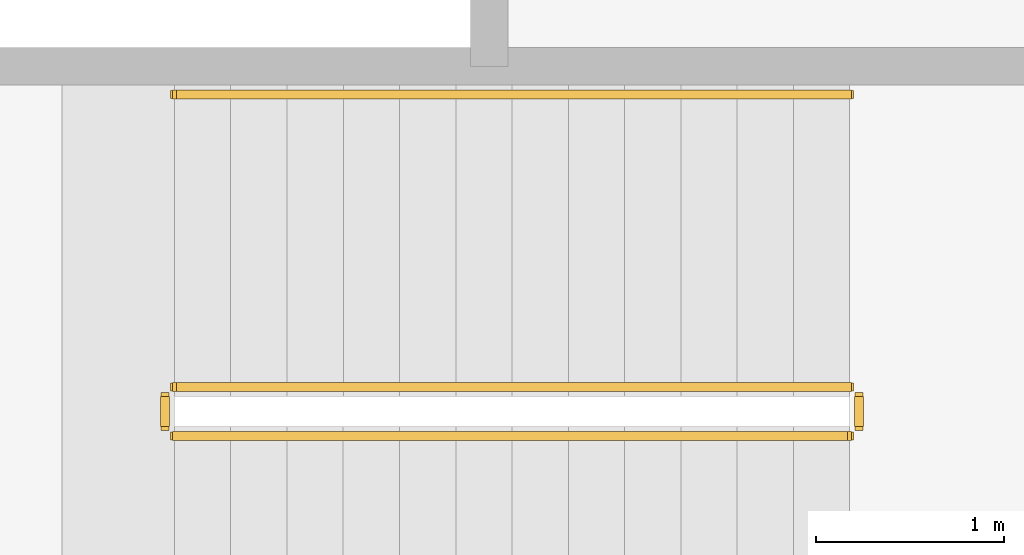
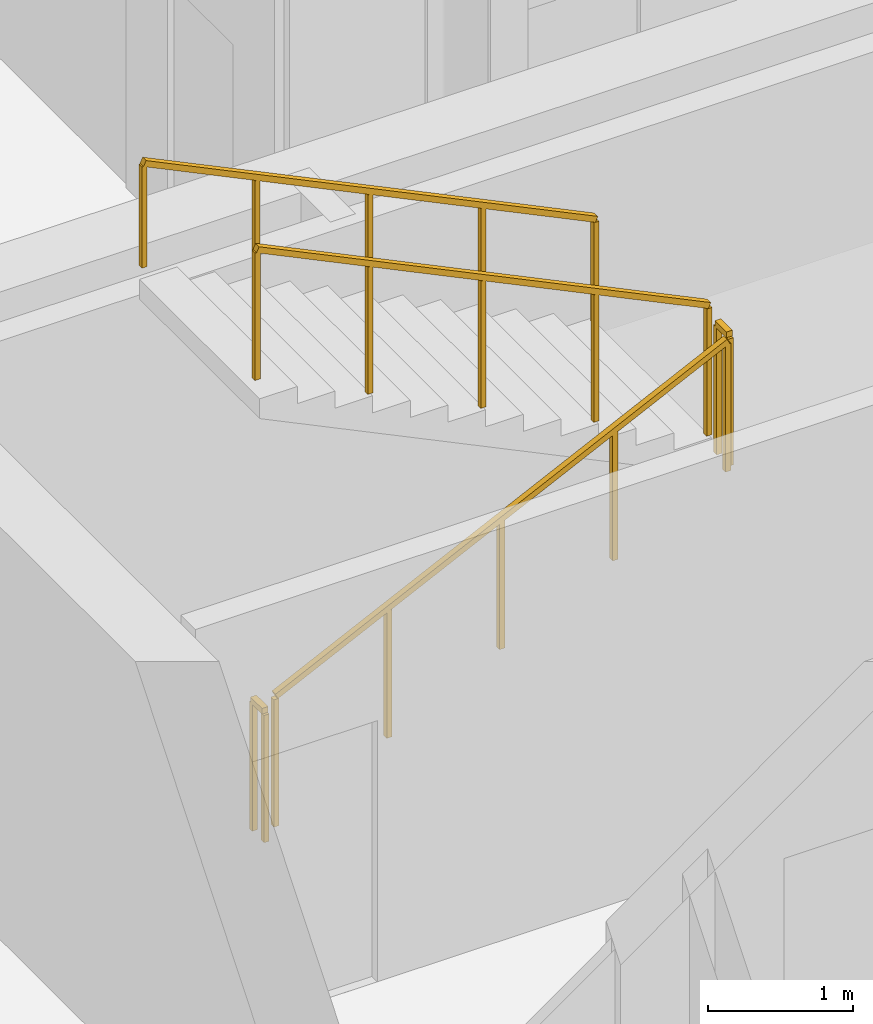
# One storey, part 25 of 26: 5 railings.
"""IFC4 building model written with IfcOpenShell, lengths in metres."""

import ifcopenshell
import ifcopenshell.guid

model = None  # the IFC model being written
_history = None  # IfcOwnerHistory: only IFC2X3 demands one
_inside = {}  # id of a spatial element -> (the spatial element, [elements in it])
_under = {}  # id of a project, library or spatial element -> (it, [spatial elements below it])
_declared = {}  # id of a project -> (the project, [libraries it declares])
_typed = {}  # id of a type object -> (the type object, [elements of that type])
_made_of = {}  # id of a material, layer set ... -> (it, [elements and type objects made of it])


def new_model(schema):
    """Start an empty IFC model of exactly this schema.

    Asked for "IFC4X3", IfcOpenShell would pick the latest addendum, in which some entities
    have other attributes; the version numbers below select the first issue.
    IFC2X3 requires an IfcOwnerHistory on every rooted entity: one is made here for all.
    """
    global model, _history
    if schema == "IFC4X3":
        model = ifcopenshell.file(schema_version=(4, 3, 0, 0))
    else:
        model = ifcopenshell.file(schema=schema)
    _inside.clear()
    _under.clear()
    _declared.clear()
    _typed.clear()
    _made_of.clear()
    _history = None
    if model.schema == "IFC2X3":
        org = make("IfcOrganization", Name="unknown")
        user = make(
            "IfcPersonAndOrganization",
            ThePerson=make("IfcPerson", FamilyName="unknown"),
            TheOrganization=org,
        )
        app = make(
            "IfcApplication",
            ApplicationDeveloper=org,
            Version="unknown",
            ApplicationFullName="unknown",
            ApplicationIdentifier="unknown",
        )
        _history = make(
            "IfcOwnerHistory",
            OwningUser=user,
            OwningApplication=app,
            ChangeAction="ADDED",
            CreationDate=0,
        )
    return model


def make(cls, **values):
    """One entity of the class cls with the attributes given. An attribute that is None is left unset."""
    return model.create_entity(
        cls, **{name: value for name, value in values.items() if value is not None}
    )


def rooted(cls, **values):
    """An entity with a GlobalId (a new one), such as an element, a storey or a relation."""
    return make(cls, GlobalId=ifcopenshell.guid.new(), OwnerHistory=_history, **values)


def si_unit(unit_type, name, prefix=None):
    """IfcSIUnit, for example si_unit("LENGTHUNIT", "METRE", prefix="MILLI")."""
    return make("IfcSIUnit", UnitType=unit_type, Prefix=prefix, Name=name)


def assignment(units):
    """IfcUnitAssignment: the units of a project."""
    return None if units is None else make("IfcUnitAssignment", Units=units)


def point(xyz):
    """IfcCartesianPoint."""
    return None if xyz is None else make("IfcCartesianPoint", Coordinates=xyz)


def direction(xyz):
    """IfcDirection."""
    return None if xyz is None else make("IfcDirection", DirectionRatios=xyz)


def frame(location, z_axis=None, x_axis=None):
    """IfcAxis2Placement3D, a coordinate frame: its origin and axes. An axis left out is left unset."""
    return make(
        "IfcAxis2Placement3D",
        Location=point(location),
        Axis=direction(z_axis),
        RefDirection=direction(x_axis),
    )


def frame_2d(location, x_axis=None):
    """IfcAxis2Placement2D, a coordinate frame in the plane: its origin and x axis."""
    return make(
        "IfcAxis2Placement2D", Location=point(location), RefDirection=direction(x_axis)
    )


def origin():
    """The frame at (0, 0, 0) with its axes left unset."""
    return frame((0.0, 0.0, 0.0))


def origin_2d():
    """The frame at (0, 0) in the plane with its x axis left unset."""
    return frame_2d((0.0, 0.0))


def place(relative_to, where):
    """IfcLocalPlacement: puts the frame where relative to a parent placement (None: the world)."""
    return make(
        "IfcLocalPlacement", PlacementRelTo=relative_to, RelativePlacement=where
    )


def context(
    kind, dimensions, precision=None, world=None, true_north=None, identifier=None
):
    """IfcGeometricRepresentationContext, for example the 3D "Model" context."""
    return make(
        "IfcGeometricRepresentationContext",
        ContextIdentifier=identifier,
        ContextType=kind,
        CoordinateSpaceDimension=dimensions,
        Precision=precision,
        WorldCoordinateSystem=world,
        TrueNorth=true_north,
    )


def subcontext(parent, identifier, kind, view, scale=None):
    """IfcGeometricRepresentationSubContext, for example "Body" below "Model"."""
    return make(
        "IfcGeometricRepresentationSubContext",
        ContextIdentifier=identifier,
        ContextType=kind,
        ParentContext=parent,
        TargetScale=scale,
        TargetView=view,
    )


def project(units=None, contexts=None):
    """IfcProject with its units and contexts."""
    return rooted(
        "IfcProject",
        Name="project",
        RepresentationContexts=contexts,
        UnitsInContext=assignment(units),
    )


def spatial(cls, under=None, at=None, **own):
    """A site, building, storey or space (cls), placed at a placement, below another one or the project."""
    s = rooted(cls, ObjectPlacement=at, **own)
    if under is not None:
        _under.setdefault(under.id(), (under, []))[1].append(s)
    return s


def profile(cls, at=None, kind="AREA", **sizes):
    """A parametric profile (cls). Its sizes go by their IFC names, for example OverallWidth=200.0."""
    return make(cls, ProfileType=kind, Position=at, **sizes)


def rectangle(**sizes):
    """IfcRectangleProfileDef."""
    return profile("IfcRectangleProfileDef", **sizes)


def extrude(swept, where, along, depth):
    """IfcExtrudedAreaSolid: the profile swept, set in the frame where, extruded along a direction by depth."""
    return make(
        "IfcExtrudedAreaSolid",
        SweptArea=swept,
        Position=where,
        ExtrudedDirection=direction(along),
        Depth=depth,
    )


def shape(context_of_items, identifier, shape_type, items):
    """IfcShapeRepresentation: the items that make up one representation, for example the "Body"."""
    return make(
        "IfcShapeRepresentation",
        ContextOfItems=context_of_items,
        RepresentationIdentifier=identifier,
        RepresentationType=shape_type,
        Items=items,
    )


def material(Name=None, Category=None):
    """IfcMaterial."""
    return make("IfcMaterial", Name=Name, Category=Category)


def made_of(thing, what):
    """Note that an element or type object is made of a material, layer set ...; save() writes the relation."""
    if what is not None:
        _made_of.setdefault(what.id(), (what, []))[1].append(thing)
    return thing


def type_object(cls, material=None, **own):
    """A type object (cls), such as IfcWallType, which elements share."""
    return made_of(rooted(cls, **own), material)


def element(
    cls,
    number,
    at=None,
    inside=None,
    cuts=None,
    type_object=None,
    material=None,
    context=None,
    identifier="Body",
    shape_type=None,
    held_by="IfcProductDefinitionShape",
    body=None,
    shapes=None,
    **own,
):
    """One element of the class cls, such as IfcWall. Its Tag is "e" and its number.

    at: its placement. inside: the storey or other place that contains it. cuts: it is an
    opening in that element (IfcRelVoidsElement). A single representation is given by context,
    identifier, shape_type and body (its items); several are given by shapes. held_by: the class
    of the entity that holds the representations. save() writes the other relations.
    """
    e = rooted(cls, Tag="e%d" % number, ObjectPlacement=at, **own)
    if body is not None:
        shapes = [shape(context, identifier, shape_type, body)]
    if shapes is not None:
        e.Representation = make(held_by, Representations=shapes)
    if inside is not None:
        _inside.setdefault(inside.id(), (inside, []))[1].append(e)
    if cuts is not None:
        rooted(
            "IfcRelVoidsElement", RelatingBuildingElement=cuts, RelatedOpeningElement=e
        )
    if type_object is not None:
        _typed.setdefault(type_object.id(), (type_object, []))[1].append(e)
    return made_of(e, material)


def aggregate(whole, parts):
    """IfcRelAggregates: a whole, such as a stair, and the parts it consists of."""
    return rooted("IfcRelAggregates", RelatingObject=whole, RelatedObjects=parts)


def save(model, path):
    """Write the relations noted so far, then the file.

    IfcRelAggregates (storeys below a building ...), IfcRelContainedInSpatialStructure (elements
    in a storey), IfcRelDefinesByType, IfcRelAssociatesMaterial and IfcRelDeclares: one each for
    every whole, place, type object, material and project.
    """
    for whole, parts in _under.values():
        aggregate(whole, parts)
    for where, things in _inside.values():
        rooted(
            "IfcRelContainedInSpatialStructure",
            RelatedElements=things,
            RelatingStructure=where,
        )
    for kind, things in _typed.values():
        rooted("IfcRelDefinesByType", RelatedObjects=things, RelatingType=kind)
    for what, things in _made_of.values():
        rooted("IfcRelAssociatesMaterial", RelatedObjects=things, RelatingMaterial=what)
    for by, libraries in _declared.values():
        rooted("IfcRelDeclares", RelatingContext=by, RelatedDefinitions=libraries)
    model.write(path)


model = new_model("IFC4")

# Units and contexts
model_context = context("Model", 3, precision=1e-05, world=origin(), true_north=direction((0.0, 1.0)))
body_context = subcontext(model_context, "Body", "Model", "MODEL_VIEW")
ifc_project = project(units=[si_unit("LENGTHUNIT", "METRE"), si_unit("AREAUNIT", "SQUARE_METRE"), si_unit("VOLUMEUNIT", "CUBIC_METRE"), si_unit("PLANEANGLEUNIT", "RADIAN"), si_unit("MASSUNIT", "GRAM", prefix="KILO"), si_unit("THERMODYNAMICTEMPERATUREUNIT", "KELVIN"), si_unit("POWERUNIT", "WATT")], contexts=[model_context])

# Site, building, storey
site_placement = place(None, origin())
site = spatial("IfcSite", under=ifc_project, at=site_placement, CompositionType="ELEMENT")
building_placement = place(site_placement, origin())
building = spatial("IfcBuilding", under=site, at=building_placement, Name="Svarakhadi Broadcast Tower", CompositionType="ELEMENT")
storey_placement = place(building_placement, frame((0.0, 0.0, 195.449951171875)))
storey = spatial("IfcBuildingStorey", under=building, at=storey_placement, Name="L48", CompositionType="ELEMENT", Elevation=195.449951171875)

# Railings
ifc_material = material(Name="Anodised Bronze Aluminium AA 6063-T6", Category="aluminium")
railing_type_1 = type_object("IfcRailingType", Name="Guard_Stair_GR01", PredefinedType="GUARDRAIL", material=ifc_material)
railing_1_placement = place(storey_placement, frame((7.97998046875, 24.969970703125, 0.144287109375)))
element("IfcRailing", 1, at=railing_1_placement, inside=storey, type_object=railing_type_1, Name="L48 ST-01 stair guard 1", PredefinedType="GUARDRAIL", context=body_context, shape_type="SweptSolid", body=[
    extrude(rectangle(XDim=0.048095703125, YDim=0.048095703125, at=origin_2d()), frame((0.0, 0.0, 1.09619140625), z_axis=(0.901262522062, 0.0, 0.433273431364), x_axis=(0.0, 1.0, 0.0)), (0.0, 0.0, 1.0), 3.994384765625),
    extrude(rectangle(XDim=0.0419921875, YDim=0.0419921875, at=origin_2d()), origin(), (0.0, 0.0, 1.0), 1.072021484375),
    extrude(rectangle(XDim=0.0419921875, YDim=0.0419921875, at=origin_2d()), frame((0.89990234375, 0.0, 0.4326171875)), (0.0, 0.0, 1.0), 1.072021484375),
    extrude(rectangle(XDim=0.0419921875, YDim=0.0419921875, at=origin_2d()), frame((1.800048828125, 0.0, 0.865234375)), (0.0, 0.0, 1.0), 1.072021484375),
    extrude(rectangle(XDim=0.0419921875, YDim=0.0419921875, at=origin_2d()), frame((2.7001953125, 0.0, 1.298095703125)), (0.0, 0.0, 1.0), 1.072021484375),
    extrude(rectangle(XDim=0.0419921875, YDim=0.0419921875, at=origin_2d()), frame((3.60009765625, 0.0, 1.730712890625)), (0.0, 0.0, 1.0), 1.072021484375),
])
railing_2_placement = place(storey_placement, frame((11.6298828125, 25.02001953125, 1.875)))
element("IfcRailing", 2, at=railing_2_placement, inside=storey, type_object=railing_type_1, Name="L48 ST-01 stair guard 2", PredefinedType="GUARDRAIL", context=body_context, shape_type="SweptSolid", body=[
    extrude(rectangle(XDim=0.048095703125, YDim=0.048095703125, at=origin_2d()), frame((0.0, 0.0, 1.09619140625), z_axis=(0.0, 1.0, 0.0), x_axis=(-1.0, 0.0, 0.0)), (0.0, 0.0, 1.0), 0.159912109375),
    extrude(rectangle(XDim=0.0419921875, YDim=0.0419921875, at=origin_2d()), origin(), (0.0, 0.0, 1.0), 1.072021484375),
    extrude(rectangle(XDim=0.0419921875, YDim=0.0419921875, at=origin_2d()), frame((0.0, 0.159912109375, 0.0)), (0.0, 0.0, 1.0), 1.072021484375),
])
railing_3_placement = place(storey_placement, frame((11.580078125, 25.22998046875, 2.019287109375)))
element("IfcRailing", 3, at=railing_3_placement, inside=storey, type_object=railing_type_1, Name="L48 ST-01 stair guard 3", PredefinedType="GUARDRAIL", context=body_context, shape_type="SweptSolid", body=[
    extrude(rectangle(XDim=0.048095703125, YDim=0.048095703125, at=origin_2d()), frame((0.0, 0.0, 1.09619140625), z_axis=(-0.901262522062, 0.0, 0.433273431364), x_axis=(0.0, -1.0, 0.0)), (0.0, 0.0, 1.0), 3.994384765625),
    extrude(rectangle(XDim=0.0419921875, YDim=0.0419921875, at=origin_2d()), origin(), (0.0, 0.0, 1.0), 1.072021484375),
    extrude(rectangle(XDim=0.0419921875, YDim=0.0419921875, at=origin_2d()), frame((-0.89990234375, 0.0, 0.4326171875)), (0.0, 0.0, 1.0), 1.072021484375),
    extrude(rectangle(XDim=0.0419921875, YDim=0.0419921875, at=origin_2d()), frame((-1.800048828125, 0.0, 0.865234375)), (0.0, 0.0, 1.0), 1.072021484375),
    extrude(rectangle(XDim=0.0419921875, YDim=0.0419921875, at=origin_2d()), frame((-2.7001953125, 0.0, 1.298095703125)), (0.0, 0.0, 1.0), 1.072021484375),
    extrude(rectangle(XDim=0.0419921875, YDim=0.0419921875, at=origin_2d()), frame((-3.60009765625, 0.0, 1.730712890625)), (0.0, 0.0, 1.0), 1.072021484375),
])
railing_4_placement = place(storey_placement, frame((7.929931640625, 25.02001953125, 0.0)))
element("IfcRailing", 4, at=railing_4_placement, inside=storey, type_object=railing_type_1, Name="L48 ST-01 stair guard 4", PredefinedType="GUARDRAIL", context=body_context, shape_type="SweptSolid", body=[
    extrude(rectangle(XDim=0.048095703125, YDim=0.048095703125, at=origin_2d()), frame((0.0, 0.0, 1.09619140625), z_axis=(0.0, 1.0, 0.0), x_axis=(-1.0, 0.0, 0.0)), (0.0, 0.0, 1.0), 0.159912109375),
    extrude(rectangle(XDim=0.0419921875, YDim=0.0419921875, at=origin_2d()), origin(), (0.0, 0.0, 1.0), 1.072021484375),
    extrude(rectangle(XDim=0.0419921875, YDim=0.0419921875, at=origin_2d()), frame((0.0, 0.159912109375, 0.0)), (0.0, 0.0, 1.0), 1.072021484375),
])
railing_type_2 = type_object("IfcRailingType", Name="Handrail_Stair_HR01", PredefinedType="HANDRAIL", material=ifc_material)
railing_5_placement = place(storey_placement, frame((11.580078125, 26.7900390625, 2.019287109375)))
element("IfcRailing", 5, at=railing_5_placement, inside=storey, type_object=railing_type_2, Name="L48 ST-01 stair handrail 2", PredefinedType="HANDRAIL", context=body_context, shape_type="SweptSolid", body=[
    extrude(rectangle(XDim=0.048095703125, YDim=0.048095703125, at=origin_2d()), frame((0.0, 0.0, 0.8759765625), z_axis=(-0.901262522062, 0.0, 0.433273431364), x_axis=(0.0, -1.0, 0.0)), (0.0, 0.0, 1.0), 3.994384765625),
    extrude(rectangle(XDim=0.0419921875, YDim=0.0419921875, at=origin_2d()), origin(), (0.0, 0.0, 1.0), 0.851806640625),
    extrude(rectangle(XDim=0.0419921875, YDim=0.0419921875, at=origin_2d()), frame((-0.89990234375, 0.0, 0.4326171875)), (0.0, 0.0, 1.0), 0.851806640625),
    extrude(rectangle(XDim=0.0419921875, YDim=0.0419921875, at=origin_2d()), frame((-1.800048828125, 0.0, 0.865234375)), (0.0, 0.0, 1.0), 0.851806640625),
    extrude(rectangle(XDim=0.0419921875, YDim=0.0419921875, at=origin_2d()), frame((-2.7001953125, 0.0, 1.298095703125)), (0.0, 0.0, 1.0), 0.851806640625),
    extrude(rectangle(XDim=0.0419921875, YDim=0.0419921875, at=origin_2d()), frame((-3.60009765625, 0.0, 1.730712890625)), (0.0, 0.0, 1.0), 0.851806640625),
])

save(model, "model.ifc")
